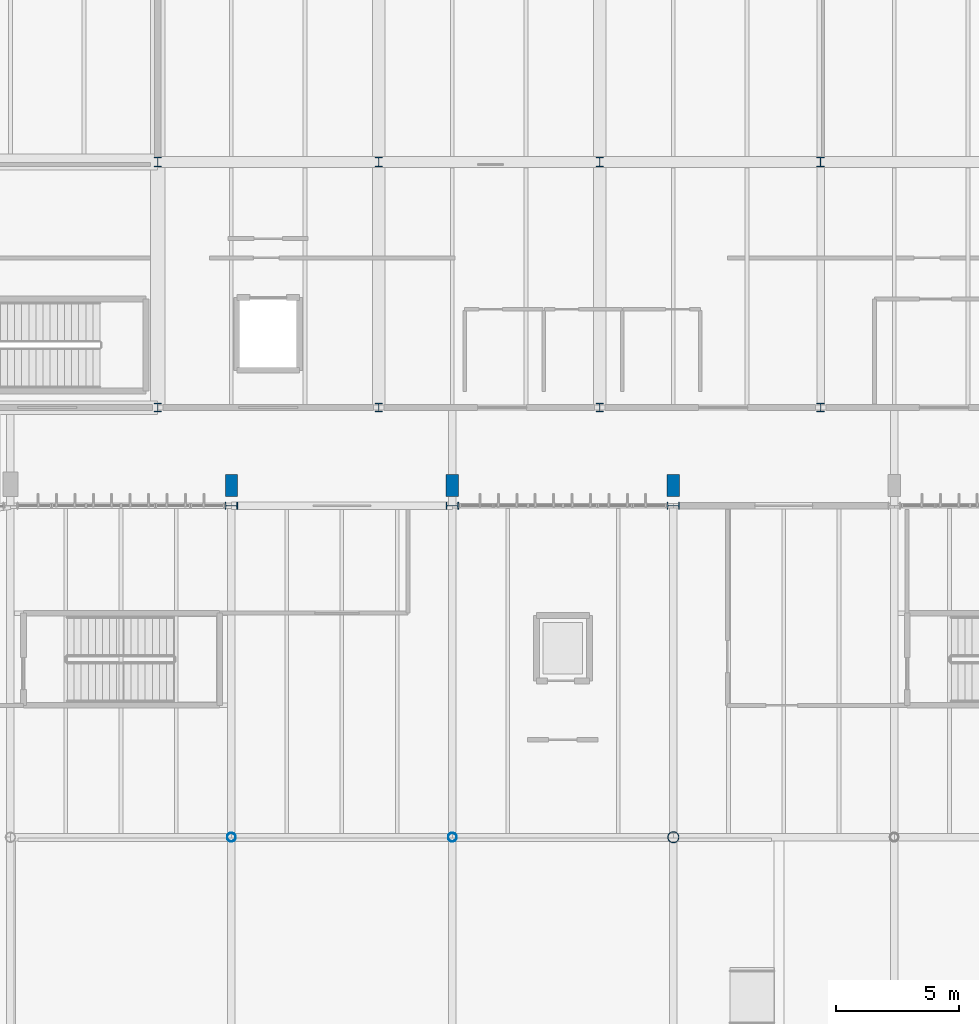
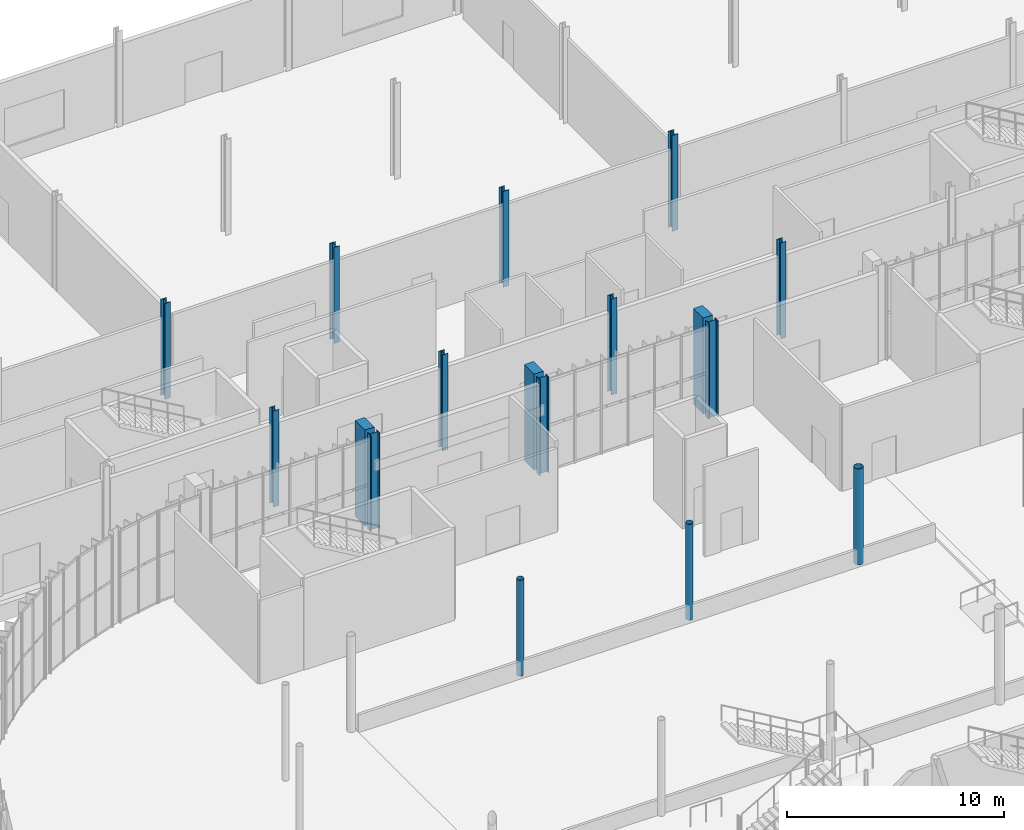
# One storey, part 11 of 158: 17 columns.
"""IFC4 building model written with IfcOpenShell, lengths in metres."""

from ifc_helpers import new_model, si_unit, derived_unit, direction, frame, origin, origin_2d, place, context, subcontext, project, spatial, rectangle, hollow_circle, i_section, extrude, material, material_profile, profile_set, type_object, element, save


model = new_model("IFC4")

# Units and contexts
model_context = context("Model", 3, precision=1e-05, world=origin(), true_north=direction((0.0, 1.0)))
body_context = subcontext(model_context, "Body", "Model", "MODEL_VIEW")
ifc_project = project(units=[si_unit("LENGTHUNIT", "METRE"), si_unit("AREAUNIT", "SQUARE_METRE"), si_unit("VOLUMEUNIT", "CUBIC_METRE"), si_unit("PLANEANGLEUNIT", "RADIAN"), si_unit("MASSUNIT", "GRAM", prefix="KILO"), si_unit("THERMODYNAMICTEMPERATUREUNIT", "KELVIN"), si_unit("TIMEUNIT", "SECOND"), derived_unit("THERMALTRANSMITTANCEUNIT", [(si_unit("MASSUNIT", "GRAM", prefix="KILO"), 1), (si_unit("THERMODYNAMICTEMPERATUREUNIT", "KELVIN"), -1), (si_unit("TIMEUNIT", "SECOND"), -3)])], contexts=[model_context])

# Site, building, storey
site_placement = place(None, origin())
site = spatial("IfcSite", under=ifc_project, at=site_placement, CompositionType="ELEMENT")
building_placement = place(site_placement, origin())
building = spatial("IfcBuilding", under=site, at=building_placement, Name="Cambertide Market Hall", CompositionType="ELEMENT")
storey_placement = place(building_placement, origin())
storey = spatial("IfcBuildingStorey", under=building, at=storey_placement, Name="L01", CompositionType="ELEMENT", Elevation=0.0)

# Columns
ifc_material_1 = material(Name="Concrete B35", Category="concrete")
ifc_material_profile_1 = material_profile(ifc_material_1, rectangle(XDim=0.5, YDim=0.89990234375, at=origin_2d()), Name="RC 500x900")
ifc_profile_set_1 = profile_set([ifc_material_profile_1], Name="Concrete B35")
column_type_1 = type_object("IfcColumnType", Name="Exterior Concrete Buttress Pilaster RC 500x900", PredefinedType="PILASTER", material=ifc_profile_set_1)
for number, where, z_axis, x_axis, name in (
    (1, (51.0, 92.830078125, 0.0), (0.0, 0.0, 1.0), (1.0, 0.0, 0.0), "Level 1 Pilaster PIL-V1-N2-L01"),
    (2, (60.0, 92.830078125, 0.0), (0.0, 0.0, 1.0), (1.0, 0.0, 0.0), "Level 1 Pilaster PIL-V1-N3-L01"),
    (3, (69.0, 92.830078125, 0.0), (0.0, 0.0, 1.0), (1.0, 0.0, 0.0), "Level 1 Pilaster PIL-V1-N4-L01"),
):
    element("IfcColumn", number, at=place(storey_placement, frame(where, z_axis=z_axis, x_axis=x_axis)), inside=storey, type_object=column_type_1, Name=name, PredefinedType="PILASTER", context=body_context, shape_type="SweptSolid", body=[
        extrude(rectangle(XDim=0.5, YDim=0.89990234375, at=origin_2d()), origin(), (0.0, 0.0, 1.0), 5.39990234375),
    ])
ifc_material_2 = material(Name="Steel S355", Category="steel")
ifc_material_profile_2 = material_profile(ifc_material_2, i_section(OverallWidth=0.300048828125, OverallDepth=0.360107421875, WebThickness=0.012451171875, FlangeThickness=0.0224609375, FilletRadius=0.027099609375, at=origin_2d()), Name="HEB 360")
ifc_profile_set_2 = profile_set([ifc_material_profile_2], Name="Steel S355")
column_type_2 = type_object("IfcColumnType", Name="Exterior Steel Column HEB 360", PredefinedType="COLUMN", material=ifc_profile_set_2)
for number, where, z_axis, x_axis, name in (
    (4, (48.0, 96.0, 0.0), (0.0, 0.0, 1.0), (1.0, 0.0, 0.0), "Level 1 Column COL-V2-5-1-L01"),
    (5, (57.0, 96.0, 0.0), (0.0, 0.0, 1.0), (1.0, 0.0, 0.0), "Level 1 Column COL-V2-6-1-L01"),
    (6, (66.0, 96.0, 0.0), (0.0, 0.0, 1.0), (1.0, 0.0, 0.0), "Level 1 Column COL-V2-7-1-L01"),
    (7, (75.0, 96.0, 0.0), (0.0, 0.0, 1.0), (1.0, 0.0, 0.0), "Level 1 Column COL-V2-8-1-L01"),
):
    element("IfcColumn", number, at=place(storey_placement, frame(where, z_axis=z_axis, x_axis=x_axis)), inside=storey, type_object=column_type_2, Name=name, PredefinedType="COLUMN", context=body_context, shape_type="SweptSolid", body=[
        extrude(i_section(OverallWidth=0.300048828125, OverallDepth=0.360107421875, WebThickness=0.012451171875, FlangeThickness=0.0224609375, FilletRadius=0.027099609375, at=origin_2d()), origin(), (0.0, 0.0, 1.0), 5.39990234375),
    ])
ifc_material_3 = material(Name="Steel S355", Category="steel")
ifc_material_profile_3 = material_profile(ifc_material_3, i_section(OverallWidth=0.300048828125, OverallDepth=0.5, WebThickness=0.014404296875, FlangeThickness=0.028076171875, FilletRadius=0.027099609375, at=origin_2d()), Name="HEB 500")
ifc_profile_set_3 = profile_set([ifc_material_profile_3], Name="Steel S355")
column_type_3 = type_object("IfcColumnType", Name="Exterior Steel Column HEB 500", PredefinedType="COLUMN", material=ifc_profile_set_3)
for number, where, z_axis, x_axis, name in (
    (8, (51.0, 92.0, 0.0), (0.0, 0.0, 1.0), (0.0, 1.0, 0.0), "Level 1 Column COL-V1-N2-L01"),
    (9, (60.0, 92.0, 0.0), (0.0, 0.0, 1.0), (0.0, 1.0, 0.0), "Level 1 Column COL-V1-N3-L01"),
    (10, (69.0, 92.0, 0.0), (0.0, 0.0, 1.0), (0.0, 1.0, 0.0), "Level 1 Column COL-V1-N4-L01"),
):
    element("IfcColumn", number, at=place(storey_placement, frame(where, z_axis=z_axis, x_axis=x_axis)), inside=storey, type_object=column_type_3, Name=name, PredefinedType="COLUMN", context=body_context, shape_type="SweptSolid", body=[
        extrude(i_section(OverallWidth=0.300048828125, OverallDepth=0.5, WebThickness=0.014404296875, FlangeThickness=0.028076171875, FilletRadius=0.027099609375, at=origin_2d()), origin(), (0.0, 0.0, 1.0), 5.39990234375),
    ])
ifc_material_4 = material(Name="Steel S355", Category="steel")
ifc_material_profile_4 = material_profile(ifc_material_4, hollow_circle(Radius=0.177734375, WallThickness=0.012451171875, at=origin_2d()), Name="CHS 355.6x12.5")
ifc_profile_set_4 = profile_set([ifc_material_profile_4], Name="Steel S355")
column_type_4 = type_object("IfcColumnType", Name="Steel Column CHS 355.6x12.5", PredefinedType="COLUMN", material=ifc_profile_set_4)
for number, where, z_axis, x_axis, name in (
    (11, (51.0, 78.5, 0.0), (0.0, 0.0, 1.0), (1.0, 0.0, 0.0), "Level 1 Column COL-V1-MN2-L01"),
    (12, (60.0, 78.5, 0.0), (0.0, 0.0, 1.0), (1.0, 0.0, 0.0), "Level 1 Column COL-V1-MN3-L01"),
):
    element("IfcColumn", number, at=place(storey_placement, frame(where, z_axis=z_axis, x_axis=x_axis)), inside=storey, type_object=column_type_4, Name=name, PredefinedType="COLUMN", context=body_context, shape_type="SweptSolid", body=[
        extrude(hollow_circle(Radius=0.177734375, WallThickness=0.012451171875, at=origin_2d()), origin(), (0.0, 0.0, 1.0), 5.39990234375),
    ])
ifc_material_5 = material(Name="Steel S355", Category="steel")
ifc_material_profile_5 = material_profile(ifc_material_5, hollow_circle(Radius=0.228515625, WallThickness=0.01611328125, at=origin_2d()), Name="CHS 457x16")
ifc_profile_set_5 = profile_set([ifc_material_profile_5], Name="Steel S355")
column_type_5 = type_object("IfcColumnType", Name="Steel Column CHS 457x16", PredefinedType="COLUMN", material=ifc_profile_set_5)
column_placement = place(storey_placement, frame((69.0, 78.5, 0.0), z_axis=(0.0, 0.0, 1.0), x_axis=(1.0, 0.0, 0.0)))
element("IfcColumn", 13, at=column_placement, inside=storey, type_object=column_type_5, Name="Level 1 Column COL-V1-MN4-L01", PredefinedType="COLUMN", context=body_context, shape_type="SweptSolid", body=[
    extrude(hollow_circle(Radius=0.228515625, WallThickness=0.01611328125, at=origin_2d()), origin(), (0.0, 0.0, 1.0), 5.39990234375),
])
ifc_material_6 = material(Name="Steel S355", Category="steel")
ifc_material_profile_6 = material_profile(ifc_material_6, i_section(OverallWidth=0.300048828125, OverallDepth=0.39990234375, WebThickness=0.013427734375, FlangeThickness=0.02392578125, FilletRadius=0.027099609375, at=origin_2d()), Name="HEB 400")
ifc_profile_set_6 = profile_set([ifc_material_profile_6], Name="Steel S355")
column_type_6 = type_object("IfcColumnType", Name="Steel Column HEB 400", PredefinedType="COLUMN", material=ifc_profile_set_6)
for number, where, z_axis, x_axis, name in (
    (14, (48.0, 106.0, 0.0), (0.0, 0.0, 1.0), (1.0, 0.0, 0.0), "Level 1 Column COL-V2-5-2-L01"),
    (15, (57.0, 106.0, 0.0), (0.0, 0.0, 1.0), (1.0, 0.0, 0.0), "Level 1 Column COL-V2-6-2-L01"),
    (16, (66.0, 106.0, 0.0), (0.0, 0.0, 1.0), (1.0, 0.0, 0.0), "Level 1 Column COL-V2-7-2-L01"),
    (17, (75.0, 106.0, 0.0), (0.0, 0.0, 1.0), (1.0, 0.0, 0.0), "Level 1 Column COL-V2-8-2-L01"),
):
    element("IfcColumn", number, at=place(storey_placement, frame(where, z_axis=z_axis, x_axis=x_axis)), inside=storey, type_object=column_type_6, Name=name, PredefinedType="COLUMN", context=body_context, shape_type="SweptSolid", body=[
        extrude(i_section(OverallWidth=0.300048828125, OverallDepth=0.39990234375, WebThickness=0.013427734375, FlangeThickness=0.02392578125, FilletRadius=0.027099609375, at=origin_2d()), origin(), (0.0, 0.0, 1.0), 5.39990234375),
    ])

save(model, "model.ifc")
